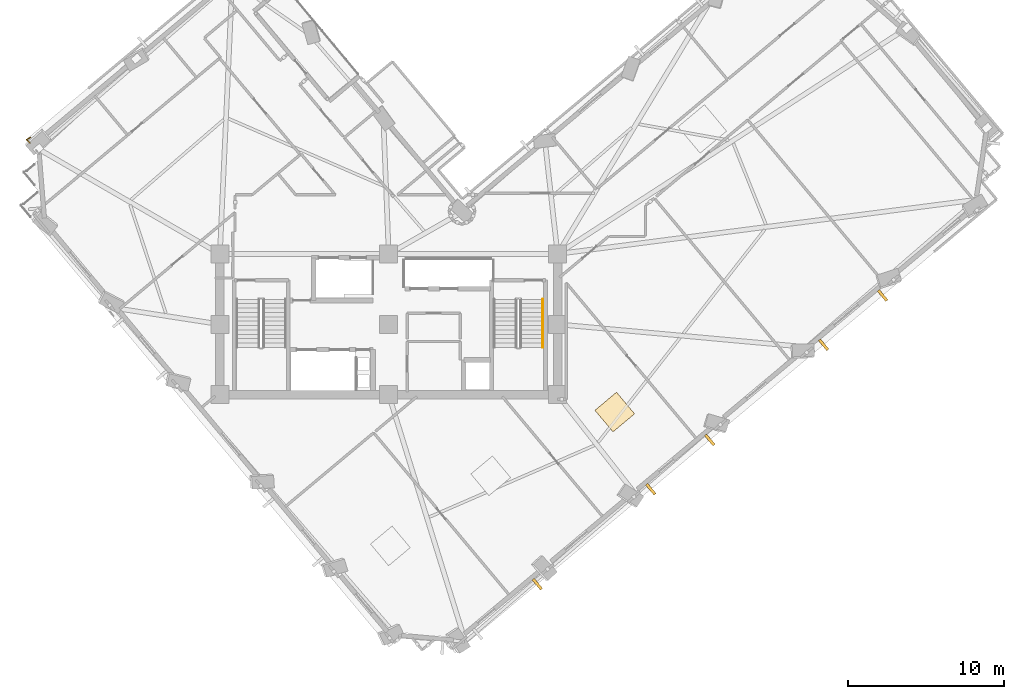
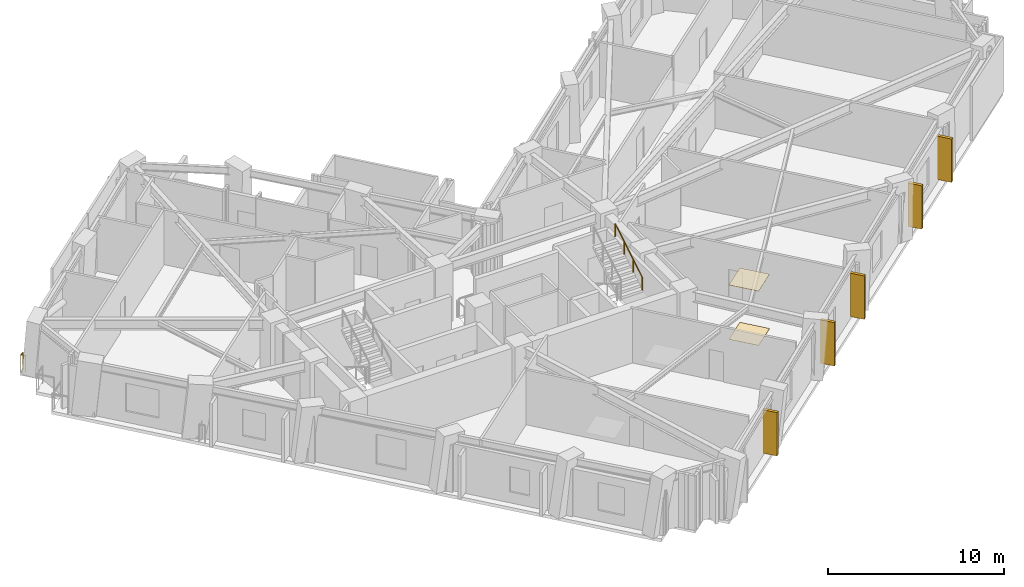
# One storey, part 12 of 14: 5 shading devices, 2 coverings, 2 railings.
"""IFC4 building model written with IfcOpenShell, lengths in metres."""

import ifcopenshell
import ifcopenshell.guid

model = None  # the IFC model being written
_history = None  # IfcOwnerHistory: only IFC2X3 demands one
_inside = {}  # id of a spatial element -> (the spatial element, [elements in it])
_under = {}  # id of a project, library or spatial element -> (it, [spatial elements below it])
_declared = {}  # id of a project -> (the project, [libraries it declares])
_typed = {}  # id of a type object -> (the type object, [elements of that type])
_made_of = {}  # id of a material, layer set ... -> (it, [elements and type objects made of it])


def new_model(schema):
    """Start an empty IFC model of exactly this schema.

    Asked for "IFC4X3", IfcOpenShell would pick the latest addendum, in which some entities
    have other attributes; the version numbers below select the first issue.
    IFC2X3 requires an IfcOwnerHistory on every rooted entity: one is made here for all.
    """
    global model, _history
    if schema == "IFC4X3":
        model = ifcopenshell.file(schema_version=(4, 3, 0, 0))
    else:
        model = ifcopenshell.file(schema=schema)
    _inside.clear()
    _under.clear()
    _declared.clear()
    _typed.clear()
    _made_of.clear()
    _history = None
    if model.schema == "IFC2X3":
        org = make("IfcOrganization", Name="unknown")
        user = make(
            "IfcPersonAndOrganization",
            ThePerson=make("IfcPerson", FamilyName="unknown"),
            TheOrganization=org,
        )
        app = make(
            "IfcApplication",
            ApplicationDeveloper=org,
            Version="unknown",
            ApplicationFullName="unknown",
            ApplicationIdentifier="unknown",
        )
        _history = make(
            "IfcOwnerHistory",
            OwningUser=user,
            OwningApplication=app,
            ChangeAction="ADDED",
            CreationDate=0,
        )
    return model


def make(cls, **values):
    """One entity of the class cls with the attributes given. An attribute that is None is left unset."""
    return model.create_entity(
        cls, **{name: value for name, value in values.items() if value is not None}
    )


def rooted(cls, **values):
    """An entity with a GlobalId (a new one), such as an element, a storey or a relation."""
    return make(cls, GlobalId=ifcopenshell.guid.new(), OwnerHistory=_history, **values)


def si_unit(unit_type, name, prefix=None):
    """IfcSIUnit, for example si_unit("LENGTHUNIT", "METRE", prefix="MILLI")."""
    return make("IfcSIUnit", UnitType=unit_type, Prefix=prefix, Name=name)


def assignment(units):
    """IfcUnitAssignment: the units of a project."""
    return None if units is None else make("IfcUnitAssignment", Units=units)


def point(xyz):
    """IfcCartesianPoint."""
    return None if xyz is None else make("IfcCartesianPoint", Coordinates=xyz)


def direction(xyz):
    """IfcDirection."""
    return None if xyz is None else make("IfcDirection", DirectionRatios=xyz)


def frame(location, z_axis=None, x_axis=None):
    """IfcAxis2Placement3D, a coordinate frame: its origin and axes. An axis left out is left unset."""
    return make(
        "IfcAxis2Placement3D",
        Location=point(location),
        Axis=direction(z_axis),
        RefDirection=direction(x_axis),
    )


def frame_2d(location, x_axis=None):
    """IfcAxis2Placement2D, a coordinate frame in the plane: its origin and x axis."""
    return make(
        "IfcAxis2Placement2D", Location=point(location), RefDirection=direction(x_axis)
    )


def origin():
    """The frame at (0, 0, 0) with its axes left unset."""
    return frame((0.0, 0.0, 0.0))


def origin_2d():
    """The frame at (0, 0) in the plane with its x axis left unset."""
    return frame_2d((0.0, 0.0))


def place(relative_to, where):
    """IfcLocalPlacement: puts the frame where relative to a parent placement (None: the world)."""
    return make(
        "IfcLocalPlacement", PlacementRelTo=relative_to, RelativePlacement=where
    )


def context(
    kind, dimensions, precision=None, world=None, true_north=None, identifier=None
):
    """IfcGeometricRepresentationContext, for example the 3D "Model" context."""
    return make(
        "IfcGeometricRepresentationContext",
        ContextIdentifier=identifier,
        ContextType=kind,
        CoordinateSpaceDimension=dimensions,
        Precision=precision,
        WorldCoordinateSystem=world,
        TrueNorth=true_north,
    )


def subcontext(parent, identifier, kind, view, scale=None):
    """IfcGeometricRepresentationSubContext, for example "Body" below "Model"."""
    return make(
        "IfcGeometricRepresentationSubContext",
        ContextIdentifier=identifier,
        ContextType=kind,
        ParentContext=parent,
        TargetScale=scale,
        TargetView=view,
    )


def project(units=None, contexts=None):
    """IfcProject with its units and contexts."""
    return rooted(
        "IfcProject",
        Name="project",
        RepresentationContexts=contexts,
        UnitsInContext=assignment(units),
    )


def spatial(cls, under=None, at=None, **own):
    """A site, building, storey or space (cls), placed at a placement, below another one or the project."""
    s = rooted(cls, ObjectPlacement=at, **own)
    if under is not None:
        _under.setdefault(under.id(), (under, []))[1].append(s)
    return s


def profile(cls, at=None, kind="AREA", **sizes):
    """A parametric profile (cls). Its sizes go by their IFC names, for example OverallWidth=200.0."""
    return make(cls, ProfileType=kind, Position=at, **sizes)


def rectangle(**sizes):
    """IfcRectangleProfileDef."""
    return profile("IfcRectangleProfileDef", **sizes)


def circle(**sizes):
    """IfcCircleProfileDef."""
    return profile("IfcCircleProfileDef", **sizes)


def extrude(swept, where, along, depth):
    """IfcExtrudedAreaSolid: the profile swept, set in the frame where, extruded along a direction by depth."""
    return make(
        "IfcExtrudedAreaSolid",
        SweptArea=swept,
        Position=where,
        ExtrudedDirection=direction(along),
        Depth=depth,
    )


def shape(context_of_items, identifier, shape_type, items):
    """IfcShapeRepresentation: the items that make up one representation, for example the "Body"."""
    return make(
        "IfcShapeRepresentation",
        ContextOfItems=context_of_items,
        RepresentationIdentifier=identifier,
        RepresentationType=shape_type,
        Items=items,
    )


def material(Name=None, Category=None):
    """IfcMaterial."""
    return make("IfcMaterial", Name=Name, Category=Category)


def layer(
    of_material, thickness, ventilated=None, Name=None, Category=None, Priority=None
):
    """IfcMaterialLayer: one layer of a wall or slab, of a material (None: an air gap)."""
    return make(
        "IfcMaterialLayer",
        Material=of_material,
        LayerThickness=thickness,
        IsVentilated=ventilated,
        Name=Name,
        Category=Category,
        Priority=Priority,
    )


def layer_set(layers, Name=None):
    """IfcMaterialLayerSet."""
    return make("IfcMaterialLayerSet", MaterialLayers=layers, LayerSetName=Name)


def made_of(thing, what):
    """Note that an element or type object is made of a material, layer set ...; save() writes the relation."""
    if what is not None:
        _made_of.setdefault(what.id(), (what, []))[1].append(thing)
    return thing


def type_object(cls, material=None, **own):
    """A type object (cls), such as IfcWallType, which elements share."""
    return made_of(rooted(cls, **own), material)


def element(
    cls,
    number,
    at=None,
    inside=None,
    cuts=None,
    type_object=None,
    material=None,
    context=None,
    identifier="Body",
    shape_type=None,
    held_by="IfcProductDefinitionShape",
    body=None,
    shapes=None,
    **own,
):
    """One element of the class cls, such as IfcWall. Its Tag is "e" and its number.

    at: its placement. inside: the storey or other place that contains it. cuts: it is an
    opening in that element (IfcRelVoidsElement). A single representation is given by context,
    identifier, shape_type and body (its items); several are given by shapes. held_by: the class
    of the entity that holds the representations. save() writes the other relations.
    """
    e = rooted(cls, Tag="e%d" % number, ObjectPlacement=at, **own)
    if body is not None:
        shapes = [shape(context, identifier, shape_type, body)]
    if shapes is not None:
        e.Representation = make(held_by, Representations=shapes)
    if inside is not None:
        _inside.setdefault(inside.id(), (inside, []))[1].append(e)
    if cuts is not None:
        rooted(
            "IfcRelVoidsElement", RelatingBuildingElement=cuts, RelatedOpeningElement=e
        )
    if type_object is not None:
        _typed.setdefault(type_object.id(), (type_object, []))[1].append(e)
    return made_of(e, material)


def aggregate(whole, parts):
    """IfcRelAggregates: a whole, such as a stair, and the parts it consists of."""
    return rooted("IfcRelAggregates", RelatingObject=whole, RelatedObjects=parts)


def save(model, path):
    """Write the relations noted so far, then the file.

    IfcRelAggregates (storeys below a building ...), IfcRelContainedInSpatialStructure (elements
    in a storey), IfcRelDefinesByType, IfcRelAssociatesMaterial and IfcRelDeclares: one each for
    every whole, place, type object, material and project.
    """
    for whole, parts in _under.values():
        aggregate(whole, parts)
    for where, things in _inside.values():
        rooted(
            "IfcRelContainedInSpatialStructure",
            RelatedElements=things,
            RelatingStructure=where,
        )
    for kind, things in _typed.values():
        rooted("IfcRelDefinesByType", RelatedObjects=things, RelatingType=kind)
    for what, things in _made_of.values():
        rooted("IfcRelAssociatesMaterial", RelatedObjects=things, RelatingMaterial=what)
    for by, libraries in _declared.values():
        rooted("IfcRelDeclares", RelatingContext=by, RelatedDefinitions=libraries)
    model.write(path)


model = new_model("IFC4")

# Units and contexts
model_context = context("Model", 3, precision=1e-05, world=origin(), true_north=direction((0.0, 1.0)))
body_context = subcontext(model_context, "Body", "Model", "MODEL_VIEW")
ifc_project = project(units=[si_unit("LENGTHUNIT", "METRE"), si_unit("AREAUNIT", "SQUARE_METRE"), si_unit("VOLUMEUNIT", "CUBIC_METRE"), si_unit("PLANEANGLEUNIT", "RADIAN"), si_unit("MASSUNIT", "GRAM", prefix="KILO")], contexts=[model_context])

# Site, building, storey
site_placement = place(None, origin())
site = spatial("IfcSite", under=ifc_project, at=site_placement, CompositionType="ELEMENT")
building_placement = place(site_placement, origin())
building = spatial("IfcBuilding", under=site, at=building_placement, Name="Gaonmaruhae Medical Tower", CompositionType="ELEMENT")
storey_placement = place(building_placement, frame((0.0, 0.0, 193.800048828125)))
storey = spatial("IfcBuildingStorey", under=building, at=storey_placement, Name="L46", CompositionType="ELEMENT", Elevation=193.800048828125)

# Coverings
ifc_material_1 = material(Name="Acoustic mineral ceiling tile", Category="finish")
ifc_layer_1 = layer(ifc_material_1, 0.02490234375)
ifc_layer_set_1 = layer_set([ifc_layer_1], Name="Acoustic mineral ceiling tile")
covering_type_1 = type_object("IfcCoveringType", Name="CLG-01 Antimicrobial Acoustic Mineral Ceiling", PredefinedType="CEILING", material=ifc_layer_set_1)
covering_1_placement = place(storey_placement, frame((39.25830078125, 6.685791015625, 3.7548828125), z_axis=(0.0, 0.0, 1.0), x_axis=(0.767165151815, 0.641449631569, 0.0)))
element("IfcCovering", 1, at=covering_1_placement, inside=storey, type_object=covering_type_1, Name="L46 Clinical Room Acoustic Ceiling 4", PredefinedType="CEILING", context=body_context, shape_type="SweptSolid", body=[
    extrude(rectangle(XDim=1.800048828125, YDim=1.800048828125, at=origin_2d()), origin(), (0.0, 0.0, 1.0), 0.02490234375),
])
ifc_material_2 = material(Name="Seamless clinical vinyl flooring", Category="finish")
ifc_layer_2 = layer(ifc_material_2, 0.014892578125)
ifc_layer_set_2 = layer_set([ifc_layer_2], Name="Seamless clinical vinyl flooring")
covering_type_2 = type_object("IfcCoveringType", Name="FLR-01 Seamless Clinical Antistatic Vinyl Flooring", PredefinedType="FLOORING", material=ifc_layer_set_2)
covering_2_placement = place(storey_placement, frame((39.25830078125, 6.685791015625, 0.0), z_axis=(0.0, 0.0, 1.0), x_axis=(0.767165151815, 0.641449631569, 0.0)))
element("IfcCovering", 2, at=covering_2_placement, inside=storey, type_object=covering_type_2, Name="L46 Clinical Room Vinyl Flooring 4", PredefinedType="FLOORING", context=body_context, shape_type="SweptSolid", body=[
    extrude(rectangle(XDim=1.800048828125, YDim=1.800048828125, at=origin_2d()), origin(), (0.0, 0.0, 1.0), 0.014892578125),
])

# Railings
ifc_material_3 = material(Name="Stainless steel 316L and laminated safety glass", Category="steel")
ifc_layer_3 = layer(ifc_material_3, 0.080078125)
ifc_layer_set_3 = layer_set([ifc_layer_3], Name="Stainless steel 316L and laminated safety glass")
railing_type_1 = type_object("IfcRailingType", Name="GD-120 Outdoor Terrace Safety Glass & Steel Balustrade", PredefinedType="BALUSTRADE", material=ifc_layer_set_3)
railing_1_placement = place(storey_placement, frame((1.850830078125, 23.906494140625, 0.0)))
element("IfcRailing", 3, at=railing_1_placement, inside=storey, type_object=railing_type_1, Name="L46 Perimeter Corner Safety Balustrade 12", PredefinedType="BALUSTRADE", context=body_context, shape_type="SweptSolid", body=[
    extrude(circle(Radius=0.02392578125, at=origin_2d()), frame((0.0, 0.0, 1.17578125), z_axis=(-0.730093572336, 0.683347185283, 0.0), x_axis=(-0.683347185283, -0.730093572336, 0.0)), (0.0, 0.0, 1.0), 0.287353515625),
    extrude(circle(Radius=0.02392578125, at=origin_2d()), frame((-0.209716796875, 0.1962890625, 1.17578125), z_axis=(0.839684147324, 0.543075070992, 0.0), x_axis=(-0.543075070992, 0.839684147324, 0.0)), (0.0, 0.0, 1.0), 0.287353515625),
    extrude(circle(Radius=0.02099609375, at=origin_2d()), origin(), (0.0, 0.0, 1.0), 1.15185546875),
    extrude(circle(Radius=0.02099609375, at=origin_2d()), frame((-0.209716796875, 0.1962890625, 0.0)), (0.0, 0.0, 1.0), 1.15185546875),
    extrude(circle(Radius=0.02099609375, at=origin_2d()), frame((0.031494140625, 0.352294921875, 0.0)), (0.0, 0.0, 1.0), 1.15185546875),
])
ifc_material_4 = material(Name="Stainless steel 304 handrail", Category="steel")
railing_type_2 = type_object("IfcRailingType", Name="HR-092 Continuous Stainless Steel Stair Handrail", PredefinedType="HANDRAIL", material=ifc_material_4)
railing_2_placement = place(storey_placement, frame((34.64990234375, 10.820068359375, 2.16650390625)))
element("IfcRailing", 4, at=railing_2_placement, inside=storey, type_object=railing_type_2, Name="L46 ST-02 stair handrail 2", PredefinedType="HANDRAIL", context=body_context, shape_type="SweptSolid", body=[
    extrude(circle(Radius=0.02392578125, at=origin_2d()), frame((0.0, 0.0, 0.8759765625), z_axis=(0.0, 0.859260807169, 0.511537745687), x_axis=(-1.0, 0.0, 0.0)), (0.0, 0.0, 1.0), 3.584228515625),
    extrude(circle(Radius=0.02099609375, at=origin_2d()), origin(), (0.0, 0.0, 1.0), 0.851806640625),
    extrude(circle(Radius=0.02099609375, at=origin_2d()), frame((0.0, 1.026611328125, 0.611083984375)), (0.0, 0.0, 1.0), 0.851806640625),
    extrude(circle(Radius=0.02099609375, at=origin_2d()), frame((0.0, 2.05322265625, 1.222412109375)), (0.0, 0.0, 1.0), 0.851806640625),
    extrude(circle(Radius=0.02099609375, at=origin_2d()), frame((0.0, 3.079833984375, 1.83349609375)), (0.0, 0.0, 1.0), 0.851806640625),
])

# Shading devices
ifc_material_5 = material(Name="Pigmented coral precast concrete C45/55", Category="concrete")
shading_device_type = type_object("IfcShadingDeviceType", Name="SD-FIN1 Tower Vertical Coral Precast Shading Fin", PredefinedType="USERDEFINED", material=ifc_material_5)
for number, where, z_axis, x_axis, name in (
    (5, (34.305419921875, -4.323486328125, 0.132568359375), (0.0, 0.0, 1.0), (-0.767165151815, -0.641449631569, 0.0), "L46 Vertical Coral Precast Shading Fin S01"),
    (6, (45.33642578125, 4.89990234375, 0.132568359375), (0.0, 0.0, 1.0), (-0.76715395629, -0.641463021029, 0.0), "L46 Vertical Coral Precast Shading Fin S03"),
    (7, (41.56640625, 1.74755859375, 0.132568359375), (0.0, 0.0, 1.0), (-0.76715395629, -0.641463021029, 0.0), "L46 Vertical Coral Precast Shading Fin S03B"),
    (8, (56.389892578125, 14.14208984375, 0.132568359375), (0.0, 0.0, 1.0), (-0.767165151815, -0.641449631569, 0.0), "L46 Vertical Coral Precast Shading Fin S05"),
    (9, (52.61669921875, 10.9873046875, 0.132568359375), (0.0, 0.0, 1.0), (-0.767165151815, -0.641449631569, 0.0), "L46 Vertical Coral Precast Shading Fin S05B"),
):
    element("IfcShadingDevice", number, at=place(storey_placement, frame(where, z_axis=z_axis, x_axis=x_axis)), inside=storey, type_object=shading_device_type, Name=name, ObjectType="FIN", PredefinedType="USERDEFINED", context=body_context, shape_type="SweptSolid", body=[
        extrude(rectangle(XDim=0.179931640625, YDim=0.85009765625, at=origin_2d()), origin(), (0.0, 0.0, 1.0), 3.0),
    ])

save(model, "model.ifc")
